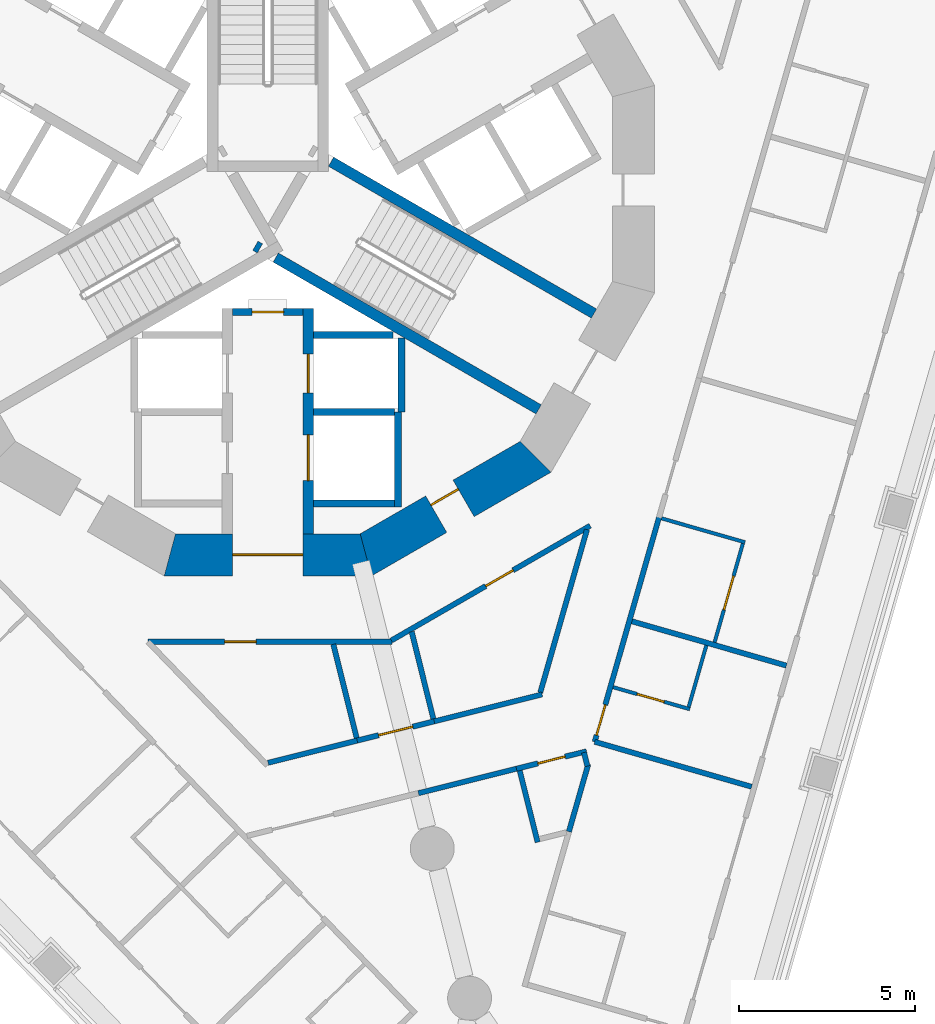
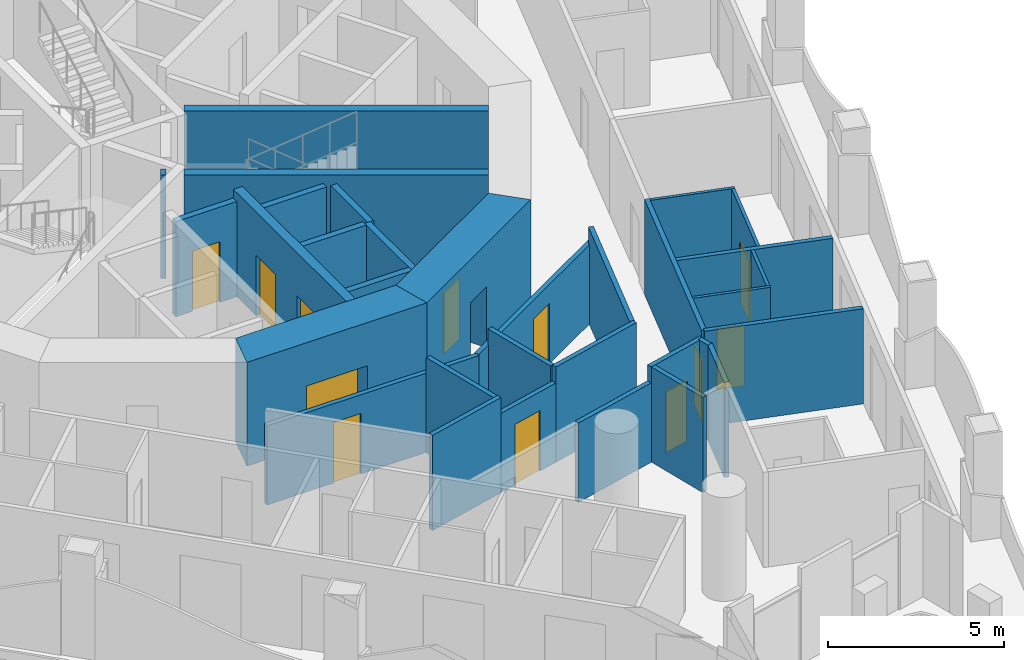
# One storey, part 4 of 18: 32 walls, 12 doors, 12 openings.
"""IFC4 building model written with IfcOpenShell, lengths in metres."""

from ifc_helpers import new_model, si_unit, direction, frame, frame_2d, origin, place, context, subcontext, project, spatial, polyline, rectangle, outline, extrude, material, layer, layer_set, type_object, element, fill, save


model = new_model("IFC4")

# Units and contexts
model_context = context("Model", 3, precision=1e-05, world=origin(), true_north=direction((0.0, 1.0)))
body_context = subcontext(model_context, "Body", "Model", "MODEL_VIEW")
ifc_project = project(units=[si_unit("LENGTHUNIT", "METRE"), si_unit("AREAUNIT", "SQUARE_METRE"), si_unit("VOLUMEUNIT", "CUBIC_METRE"), si_unit("PLANEANGLEUNIT", "RADIAN"), si_unit("MASSUNIT", "GRAM", prefix="KILO")], contexts=[model_context])

# Site, building, storey
site_placement = place(None, origin())
site = spatial("IfcSite", under=ifc_project, at=site_placement, CompositionType="ELEMENT")
building_placement = place(site_placement, origin())
building = spatial("IfcBuilding", under=site, at=building_placement, Name="Trine Commons Tower", CompositionType="ELEMENT")
storey_placement = place(building_placement, frame((0.0, 0.0, 90.89990234375)))
storey = spatial("IfcBuildingStorey", under=building, at=storey_placement, Name="L22", CompositionType="ELEMENT", Elevation=90.89990234375)

# Wall, opening, door
ifc_material_1 = material(Name="Fire-rated gypsum shaft wall system")
ifc_layer_1 = layer(ifc_material_1, 0.199951171875)
ifc_layer_set_1 = layer_set([ifc_layer_1], Name="Fire-rated gypsum shaft wall system")
wall_type_1 = type_object("IfcWallType", Name="Lobby end wall 200 mm, EI 120", PredefinedType="PARTITIONING", material=ifc_layer_set_1)
wall_1_placement = place(storey_placement, frame((79.0, 59.0, 0.0), z_axis=(0.0, 0.0, 1.0), x_axis=(1.0, 0.0, 0.0)))
wall_1 = element("IfcWall", 1, at=wall_1_placement, inside=storey, type_object=wall_type_1, Name="Lobby end wall L22", PredefinedType="PARTITIONING", context=body_context, shape_type="SweptSolid", body=[
    extrude(rectangle(XDim=2.0, YDim=0.199951171875, at=frame_2d((1.0, 0.0))), origin(), (0.0, 0.0, 1.0), 3.300048828125),
])
opening_1_placement = place(wall_1_placement, frame((0.550048828125, 0.0, 0.0)))
opening_1 = element("IfcOpeningElement", 2, at=opening_1_placement, cuts=wall_1, Name="Opening K05.09", PredefinedType="OPENING", context=body_context, shape_type="SweptSolid", body=[
    extrude(rectangle(XDim=0.89990234375, YDim=2.10009765625, at=frame_2d((0.449951171875, 1.050048828125))), frame((0.0, 0.10986328125, 0.0), z_axis=(0.0, -1.0, 0.0), x_axis=(1.0, 0.0, 0.0)), (0.0, 0.0, 1.0), 0.219970703125),
])
ifc_material_2 = material(Name="Steel door leaf, fire-rated", Category="steel")
door_type_1 = type_object("IfcDoorType", Name="Riser access door, single leaf 900 x 2100, FD60", OperationType="SINGLE_SWING_LEFT", PredefinedType="DOOR", material=ifc_material_2)
door_1_placement = place(opening_1_placement, frame((0.89990234375, 0.0, 0.0), z_axis=(0.0, 0.0, 1.0), x_axis=(-1.0, 0.0, 0.0)))
door_1 = element("IfcDoor", 3, at=door_1_placement, inside=storey, type_object=door_type_1, Name="Riser door, Communications riser L22", OperationType="SINGLE_SWING_RIGHT", OverallHeight=2.10009765625, OverallWidth=0.89990234375, PredefinedType="DOOR", context=body_context, shape_type="SweptSolid", body=[
    extrude(rectangle(XDim=0.89990234375, YDim=2.10009765625, at=frame_2d((0.449951171875, 1.050048828125))), frame((0.0, 0.02490234375, 0.0), z_axis=(0.0, -1.0, 0.0), x_axis=(1.0, 0.0, 0.0)), (0.0, 0.0, 1.0), 0.050048828125),
])
fill(opening_1, door_1)

ifc_material_3 = material(Name="Concrete C70/85", Category="concrete")
ifc_layer_2 = layer(ifc_material_3, 1.199951171875)
ifc_layer_set_2 = layer_set([ifc_layer_2], Name="Concrete C70/85")
wall_type_2 = type_object("IfcWallType", Name="RC shear wall 1200 mm, C70/85", PredefinedType="SHEAR", material=ifc_layer_set_2)
wall_2_placement = place(storey_placement, frame((77.049560546875, 52.08837890625, 0.0), z_axis=(0.0, 0.0, 1.0), x_axis=(1.0, 0.0, 0.0)))
wall_2 = element("IfcWall", 4, at=wall_2_placement, inside=storey, type_object=wall_type_2, Name="Core wall CWC-10 L22", PredefinedType="SHEAR", context=body_context, shape_type="SweptSolid", body=[
    extrude(outline(polyline([(0.0, -0.60009765625), (5.90087890625, -0.60009765625), (5.57958984375, 0.60009765625), (0.321533203125, 0.60009765625), (0.0, -0.60009765625)])), origin(), (0.0, 0.0, 1.0), 3.60009765625),
])
opening_2_placement = place(wall_2_placement, frame((1.950439453125, 0.0, 0.0)))
opening_2 = element("IfcOpeningElement", 5, at=opening_2_placement, cuts=wall_2, Name="Opening K05.08", PredefinedType="OPENING", context=body_context, shape_type="SweptSolid", body=[
    extrude(rectangle(XDim=2.0, YDim=2.10009765625, at=frame_2d((1.0, 1.050048828125))), frame((0.0, 0.60986328125, 0.0), z_axis=(0.0, -1.0, 0.0), x_axis=(1.0, 0.0, 0.0)), (0.0, 0.0, 1.0), 1.219970703125),
])
ifc_material_4 = material(Name="Steel door leaves, fire-rated", Category="steel")
door_type_2 = type_object("IfcDoorType", Name="Lobby door, double leaf 2000 x 2100, FD60", OperationType="DOUBLE_DOOR_SINGLE_SWING", PredefinedType="DOOR", material=ifc_material_4)
door_2_placement = place(opening_2_placement, origin())
door_2 = element("IfcDoor", 6, at=door_2_placement, inside=storey, type_object=door_type_2, Name="Lobby door, Service and firefighting lobby L22", OperationType="DOUBLE_DOOR_SINGLE_SWING", OverallHeight=2.10009765625, OverallWidth=2.0, PredefinedType="DOOR", context=body_context, shape_type="SweptSolid", body=[
    extrude(rectangle(XDim=2.0, YDim=2.10009765625, at=frame_2d((1.0, 1.050048828125))), frame((0.0, 0.02490234375, 0.0), z_axis=(0.0, -1.0, 0.0), x_axis=(1.0, 0.0, 0.0)), (0.0, 0.0, 1.0), 0.050048828125),
])
fill(opening_2, door_2)

wall_3_placement = place(storey_placement, frame((82.650390625, 52.008056640625, 0.0), z_axis=(0.0, 0.0, 1.0), x_axis=(0.866037463336, 0.499979111662, 0.0)))
wall_3 = element("IfcWall", 7, at=wall_3_placement, inside=storey, type_object=wall_type_2, Name="Core wall CWC-11 L22", PredefinedType="SHEAR", context=body_context, shape_type="SweptSolid", body=[
    extrude(outline(polyline([(0.0, -0.60009765625), (5.901123046875, -0.60009765625), (5.57958984375, 0.60009765625), (0.321533203125, 0.60009765625), (0.0, -0.60009765625)])), origin(), (0.0, 0.0, 1.0), 3.60009765625),
])
opening_3_placement = place(wall_3_placement, frame((2.474853515625, 0.0, 0.0)))
opening_3 = element("IfcOpeningElement", 8, at=opening_3_placement, cuts=wall_3, Name="Opening K05.15", PredefinedType="OPENING", context=body_context, shape_type="SweptSolid", body=[
    extrude(rectangle(XDim=0.89990234375, YDim=2.10009765625, at=frame_2d((0.449951171875, 1.050048828125))), frame((0.0, 0.60986328125, 0.0), z_axis=(0.0, -1.0, 0.0), x_axis=(1.0, 0.0, 0.0)), (0.0, 0.0, 1.0), 1.219970703125),
])
door_type_3 = type_object("IfcDoorType", Name="Core room door, single leaf 900 x 2100, FD30S", OperationType="SINGLE_SWING_LEFT", PredefinedType="DOOR", material=ifc_material_2)
door_3_placement = place(opening_3_placement, origin())
door_3 = element("IfcDoor", 9, at=door_3_placement, inside=storey, type_object=door_type_3, Name="Door to Core WC L22", OperationType="SINGLE_SWING_LEFT", OverallHeight=2.10009765625, OverallWidth=0.89990234375, PredefinedType="DOOR", context=body_context, shape_type="SweptSolid", body=[
    extrude(rectangle(XDim=0.89990234375, YDim=2.10009765625, at=frame_2d((0.449951171875, 1.050048828125))), frame((0.0, 0.3251953125, 0.0), z_axis=(0.0, -1.0, 0.0), x_axis=(1.0, 0.0, 0.0)), (0.0, 0.0, 1.0), 0.050048828125),
])
fill(opening_3, door_3)

# Wall, openings, doors
ifc_layer_3 = layer(ifc_material_3, 0.300048828125)
ifc_layer_set_3 = layer_set([ifc_layer_3], Name="Concrete C70/85")
wall_type_3 = type_object("IfcWallType", Name="RC shear wall 300 mm, C70/85", PredefinedType="SHEAR", material=ifc_layer_set_3)
wall_4_placement = place(storey_placement, frame((81.14990234375, 59.10009765625, 0.0), z_axis=(0.0, 0.0, 1.0), x_axis=(0.0, -1.0, 0.0)))
wall_4 = element("IfcWall", 10, at=wall_4_placement, inside=storey, type_object=wall_type_3, Name="Core cross wall SWA-04 L22", PredefinedType="SHEAR", context=body_context, shape_type="SweptSolid", body=[
    extrude(rectangle(XDim=6.412109375, YDim=0.300048828125, at=frame_2d((3.2060546875, 0.0))), origin(), (0.0, 0.0, 1.0), 3.60009765625),
])
opening_4_placement = place(wall_4_placement, frame((3.60009765625, 0.0, 0.0)))
opening_4 = element("IfcOpeningElement", 11, at=opening_4_placement, cuts=wall_4, Name="Opening LD11", PredefinedType="OPENING", context=body_context, shape_type="SweptSolid", body=[
    extrude(rectangle(XDim=1.300048828125, YDim=2.10009765625, at=frame_2d((0.64990234375, 1.050048828125))), frame((0.0, 0.159912109375, 0.0), z_axis=(0.0, -1.0, 0.0), x_axis=(1.0, 0.0, 0.0)), (0.0, 0.0, 1.0), 0.320068359375),
])
opening_5_placement = place(wall_4_placement, frame((1.300048828125, 0.0, 0.0)))
opening_5 = element("IfcOpeningElement", 12, at=opening_5_placement, cuts=wall_4, Name="Opening LD9", PredefinedType="OPENING", context=body_context, shape_type="SweptSolid", body=[
    extrude(rectangle(XDim=1.10009765625, YDim=2.10009765625, at=frame_2d((0.550048828125, 1.050048828125))), frame((0.0, 0.159912109375, 0.0), z_axis=(0.0, -1.0, 0.0), x_axis=(1.0, 0.0, 0.0)), (0.0, 0.0, 1.0), 0.320068359375),
])
ifc_material_5 = material(Name="Stainless steel sliding door leaves", Category="steel")
door_type_4 = type_object("IfcDoorType", Name="Lift landing door, centre-opening sliding 1100 x 2100, FD90", OperationType="DOUBLE_DOOR_SLIDING", PredefinedType="DOOR", material=ifc_material_5)
door_4_placement = place(opening_5_placement, origin())
door_4 = element("IfcDoor", 13, at=door_4_placement, inside=storey, type_object=door_type_4, Name="Lift landing door FF1 L22", OperationType="DOUBLE_DOOR_SLIDING", OverallHeight=2.10009765625, OverallWidth=1.10009765625, PredefinedType="DOOR", context=body_context, shape_type="SweptSolid", body=[
    extrude(rectangle(XDim=1.10009765625, YDim=2.10009765625, at=frame_2d((0.550048828125, 1.050048828125))), frame((0.0, 0.02490234375, 0.0), z_axis=(0.0, -1.0, 0.0), x_axis=(1.0, 0.0, 0.0)), (0.0, 0.0, 1.0), 0.050048828125),
])
fill(opening_5, door_4)
door_type_5 = type_object("IfcDoorType", Name="Lift landing door, centre-opening sliding 1300 x 2100, FD90", OperationType="DOUBLE_DOOR_SLIDING", PredefinedType="DOOR", material=ifc_material_5)
door_5_placement = place(opening_4_placement, origin())
door_5 = element("IfcDoor", 14, at=door_5_placement, inside=storey, type_object=door_type_5, Name="Lift landing door G1 L22", OperationType="DOUBLE_DOOR_SLIDING", OverallHeight=2.10009765625, OverallWidth=1.300048828125, PredefinedType="DOOR", context=body_context, shape_type="SweptSolid", body=[
    extrude(rectangle(XDim=1.300048828125, YDim=2.10009765625, at=frame_2d((0.64990234375, 1.050048828125))), frame((0.0, 0.02490234375, 0.0), z_axis=(0.0, -1.0, 0.0), x_axis=(1.0, 0.0, 0.0)), (0.0, 0.0, 1.0), 0.050048828125),
])
fill(opening_4, door_5)

# Walls
wall_5_placement = place(storey_placement, frame((79.64599609375, 60.885986328125, 0.0), z_axis=(0.0, 0.0, 1.0), x_axis=(0.867331893649, -0.497730234424, 0.0)))
element("IfcWall", 15, at=wall_5_placement, inside=storey, type_object=wall_type_3, Name="Core cross wall SWA-11 L22", PredefinedType="SHEAR", context=body_context, shape_type="SweptSolid", body=[
    extrude(rectangle(XDim=0.148681640625, YDim=0.300048828125, at=frame_2d((0.07421875, 0.0))), origin(), (0.0, 0.0, 1.0), 3.60009765625),
])
for number, where, z_axis, x_axis, name in (
    (16, (80.22509765625, 60.552001953125, 0.0), (0.0, 0.0, 1.0), (0.865965399159, -0.500103916661, 0.0), "Core cross wall SWA-13 L22"),
    (17, (81.800048828125, 63.280029296875, 0.0), (0.0, 0.0, 1.0), (0.865965399159, -0.500103916661, 0.0), "Core cross wall SWA-18 L22"),
):
    element("IfcWall", number, at=place(storey_placement, frame(where, z_axis=z_axis, x_axis=x_axis)), inside=storey, type_object=wall_type_3, Name=name, PredefinedType="SHEAR", context=body_context, shape_type="SweptSolid", body=[
        extrude(rectangle(XDim=8.642333984375, YDim=0.300048828125, at=frame_2d((4.3212890625, 0.0))), origin(), (0.0, 0.0, 1.0), 3.60009765625),
    ])
ifc_layer_4 = layer(ifc_material_1, 0.199951171875)
ifc_layer_set_4 = layer_set([ifc_layer_4], Name="Fire-rated gypsum shaft wall system")
wall_type_4 = type_object("IfcWallType", Name="Shaft wall 200 mm, EI 120", PredefinedType="PARTITIONING", material=ifc_layer_set_4)
for number, where, z_axis, x_axis, name in (
    (18, (81.300048828125, 53.550048828125, 0.0), (0.0, 0.0, 1.0), (1.0, 0.0, 0.0), "Shaft wall L22"),
    (19, (81.300048828125, 56.14990234375, 0.0), (0.0, 0.0, 1.0), (1.0, 0.0, 0.0), "Shaft wall L22"),
):
    element("IfcWall", number, at=place(storey_placement, frame(where, z_axis=z_axis, x_axis=x_axis)), inside=storey, type_object=wall_type_4, Name=name, PredefinedType="PARTITIONING", context=body_context, shape_type="SweptSolid", body=[
        extrude(rectangle(XDim=2.300048828125, YDim=0.199951171875, at=frame_2d((1.14990234375, 0.0))), origin(), (0.0, 0.0, 1.0), 3.300048828125),
    ])
wall_6_placement = place(storey_placement, frame((81.300048828125, 58.35009765625, 0.0), z_axis=(0.0, 0.0, 1.0), x_axis=(1.0, 0.0, 0.0)))
element("IfcWall", 20, at=wall_6_placement, inside=storey, type_object=wall_type_4, Name="Shaft wall L22", PredefinedType="PARTITIONING", context=body_context, shape_type="SweptSolid", body=[
    extrude(rectangle(XDim=2.264892578125, YDim=0.199951171875, at=frame_2d((1.13232421875, 0.0))), origin(), (0.0, 0.0, 1.0), 3.300048828125),
])
wall_7_placement = place(storey_placement, frame((83.699951171875, 56.14990234375, 0.0), z_axis=(0.0, 0.0, 1.0), x_axis=(0.0, -1.0, 0.0)))
element("IfcWall", 21, at=wall_7_placement, inside=storey, type_object=wall_type_4, Name="Shaft wall L22", PredefinedType="PARTITIONING", context=body_context, shape_type="SweptSolid", body=[
    extrude(rectangle(XDim=2.699951171875, YDim=0.199951171875, at=frame_2d((1.35009765625, 0.0))), origin(), (0.0, 0.0, 1.0), 3.300048828125),
])
wall_8_placement = place(storey_placement, frame((83.800048828125, 58.256103515625, 0.0), z_axis=(0.0, 0.0, 1.0), x_axis=(0.0, -1.0, 0.0)))
element("IfcWall", 22, at=wall_8_placement, inside=storey, type_object=wall_type_4, Name="Shaft wall L22", PredefinedType="PARTITIONING", context=body_context, shape_type="SweptSolid", body=[
    extrude(rectangle(XDim=2.106201171875, YDim=0.199951171875, at=frame_2d((1.05322265625, 0.0))), origin(), (0.0, 0.0, 1.0), 3.300048828125),
])

# Wall, opening, door
ifc_material_6 = material(Name="Gypsum plasterboard on steel stud", Category="steel")
ifc_layer_5 = layer(ifc_material_6, 0.14990234375)
ifc_layer_set_5 = layer_set([ifc_layer_5], Name="Gypsum plasterboard on steel stud")
wall_type_5 = type_object("IfcWallType", Name="Unit and corridor wall 150 mm, EI 60", PredefinedType="PARTITIONING", material=ifc_layer_set_5)
wall_9_placement = place(storey_placement, frame((76.583984375, 49.613037109375, 0.0), z_axis=(0.0, 0.0, 1.0), x_axis=(1.0, 0.0, 0.0)))
wall_9 = element("IfcWall", 23, at=wall_9_placement, inside=storey, type_object=wall_type_5, Name="Partition 057", PredefinedType="PARTITIONING", context=body_context, shape_type="SweptSolid", body=[
    extrude(rectangle(XDim=6.944091796875, YDim=0.14990234375, at=frame_2d((3.47216796875, 0.0))), origin(), (0.0, 0.0, 1.0), 2.75),
])
opening_6_placement = place(wall_9_placement, frame((2.18359375, 0.0, 0.0)))
opening_6 = element("IfcOpeningElement", 24, at=opening_6_placement, cuts=wall_9, Name="Opening D-3A32", PredefinedType="OPENING", context=body_context, shape_type="SweptSolid", body=[
    extrude(rectangle(XDim=0.89990234375, YDim=2.10009765625, at=frame_2d((0.449951171875, 1.050048828125))), frame((0.0, 0.0849609375, 0.0), z_axis=(0.0, -1.0, 0.0), x_axis=(1.0, 0.0, 0.0)), (0.0, 0.0, 1.0), 0.169921875),
])
ifc_material_7 = material(Name="Timber fire door set", Category="wood")
door_type_6 = type_object("IfcDoorType", Name="Service door 900 x 2100, FD30S", OperationType="NOTDEFINED", PredefinedType="DOOR", material=ifc_material_7)
door_6_placement = place(opening_6_placement, frame((0.89990234375, 0.0, 0.0), z_axis=(0.0, 0.0, 1.0), x_axis=(-1.0, 0.0, 0.0)))
door_6 = element("IfcDoor", 25, at=door_6_placement, inside=storey, type_object=door_type_6, Name="Door D-3A32", OperationType="SINGLE_SWING_RIGHT", OverallHeight=2.10009765625, OverallWidth=0.89990234375, PredefinedType="DOOR", context=body_context, shape_type="SweptSolid", body=[
    extrude(rectangle(XDim=0.89990234375, YDim=2.10009765625, at=frame_2d((0.449951171875, 1.050048828125))), frame((0.0, 0.02490234375, 0.0), z_axis=(0.0, -1.0, 0.0), x_axis=(1.0, 0.0, 0.0)), (0.0, 0.0, 1.0), 0.050048828125),
])
fill(opening_6, door_6)

# Walls
wall_10_placement = place(storey_placement, frame((80.005859375, 46.168212890625, 0.0), z_axis=(0.0, 0.0, 1.0), x_axis=(0.970307222534, 0.241875781957, 0.0)))
element("IfcWall", 26, at=wall_10_placement, inside=storey, type_object=wall_type_5, Name="Partition 066", PredefinedType="PARTITIONING", context=body_context, shape_type="SweptSolid", body=[
    extrude(rectangle(XDim=2.698974609375, YDim=0.14990234375, at=frame_2d((1.349609375, 0.0))), origin(), (0.0, 0.0, 1.0), 3.300048828125),
])
wall_11_placement = place(storey_placement, frame((81.864990234375, 49.540283203125, 0.0), z_axis=(0.0, 0.0, 1.0), x_axis=(0.24199191412, -0.970278266015, 0.0)))
element("IfcWall", 27, at=wall_11_placement, inside=storey, type_object=wall_type_5, Name="Partition 071", PredefinedType="PARTITIONING", context=body_context, shape_type="SweptSolid", body=[
    extrude(rectangle(XDim=2.7470703125, YDim=0.14990234375, at=frame_2d((1.37353515625, 0.0))), origin(), (0.0, 0.0, 1.0), 3.300048828125),
])

# Wall, opening, door
wall_12_placement = place(storey_placement, frame((82.5439453125, 46.801025390625, 0.0), z_axis=(0.0, 0.0, 1.0), x_axis=(0.970237811433, 0.242154061015, 0.0)))
wall_12 = element("IfcWall", 28, at=wall_12_placement, inside=storey, type_object=wall_type_5, Name="Partition 072", PredefinedType="PARTITIONING", context=body_context, shape_type="SweptSolid", body=[
    extrude(rectangle(XDim=2.25830078125, YDim=0.14990234375, at=frame_2d((1.129150390625, 0.0))), origin(), (0.0, 0.0, 1.0), 2.75),
])
opening_7_placement = place(wall_12_placement, frame((0.629150390625, 0.0, 0.0)))
opening_7 = element("IfcOpeningElement", 29, at=opening_7_placement, cuts=wall_12, Name="Opening D-3A35", PredefinedType="OPENING", context=body_context, shape_type="SweptSolid", body=[
    extrude(rectangle(XDim=1.0, YDim=2.10009765625, at=frame_2d((0.5, 1.050048828125))), frame((0.0, 0.0849609375, 0.0), z_axis=(0.0, -1.0, 0.0), x_axis=(1.0, 0.0, 0.0)), (0.0, 0.0, 1.0), 0.169921875),
])
ifc_material_8 = material(Name="Painted timber", Category="wood")
door_type_7 = type_object("IfcDoorType", Name="Toilet door 1000 x 2100, NOT RATED", OperationType="NOTDEFINED", PredefinedType="DOOR", material=ifc_material_8)
door_7_placement = place(opening_7_placement, origin())
door_7 = element("IfcDoor", 30, at=door_7_placement, inside=storey, type_object=door_type_7, Name="Door D-3A35", OperationType="SINGLE_SWING_RIGHT", OverallHeight=2.10009765625, OverallWidth=1.0, PredefinedType="DOOR", context=body_context, shape_type="SweptSolid", body=[
    extrude(rectangle(XDim=1.0, YDim=2.10009765625, at=frame_2d((0.5, 1.050048828125))), frame((0.0, 0.02490234375, 0.0), z_axis=(0.0, -1.0, 0.0), x_axis=(1.0, 0.0, 0.0)), (0.0, 0.0, 1.0), 0.050048828125),
])
fill(opening_7, door_7)

wall_13_placement = place(storey_placement, frame((83.51806640625, 49.650390625, 0.0), z_axis=(0.0, 0.0, 1.0), x_axis=(0.866021893259, 0.50000608036, 0.0)))
wall_13 = element("IfcWall", 31, at=wall_13_placement, inside=storey, type_object=wall_type_5, Name="Partition 073", PredefinedType="PARTITIONING", context=body_context, shape_type="SweptSolid", body=[
    extrude(rectangle(XDim=6.5322265625, YDim=0.14990234375, at=frame_2d((3.26611328125, 0.0))), origin(), (0.0, 0.0, 1.0), 2.75),
])
opening_8_placement = place(wall_13_placement, frame((3.09912109375, 0.0, 0.0)))
opening_8 = element("IfcOpeningElement", 32, at=opening_8_placement, cuts=wall_13, Name="Opening D-3A31", PredefinedType="OPENING", context=body_context, shape_type="SweptSolid", body=[
    extrude(rectangle(XDim=0.89990234375, YDim=2.10009765625, at=frame_2d((0.449951171875, 1.050048828125))), frame((0.0, 0.0849609375, 0.0), z_axis=(0.0, -1.0, 0.0), x_axis=(1.0, 0.0, 0.0)), (0.0, 0.0, 1.0), 0.169921875),
])
door_8_placement = place(opening_8_placement, frame((0.89990234375, 0.0, 0.0), z_axis=(0.0, 0.0, 1.0), x_axis=(-1.0, 0.0, 0.0)))
door_8 = element("IfcDoor", 33, at=door_8_placement, inside=storey, type_object=door_type_6, Name="Door D-3A31", OperationType="SINGLE_SWING_LEFT", OverallHeight=2.10009765625, OverallWidth=0.89990234375, PredefinedType="DOOR", context=body_context, shape_type="SweptSolid", body=[
    extrude(rectangle(XDim=0.89990234375, YDim=2.10009765625, at=frame_2d((0.449951171875, 1.050048828125))), frame((0.0, 0.02490234375, 0.0), z_axis=(0.0, -1.0, 0.0), x_axis=(1.0, 0.0, 0.0)), (0.0, 0.0, 1.0), 0.050048828125),
])
fill(opening_8, door_8)

# Walls
wall_14_placement = place(storey_placement, frame((84.09521484375, 49.900146484375, 0.0), z_axis=(0.0, 0.0, 1.0), x_axis=(0.241659013466, -0.970361232331, 0.0)))
element("IfcWall", 34, at=wall_14_placement, inside=storey, type_object=wall_type_5, Name="Partition 076", PredefinedType="PARTITIONING", context=body_context, shape_type="SweptSolid", body=[
    extrude(rectangle(XDim=2.555908203125, YDim=0.14990234375, at=frame_2d((1.27783203125, 0.0))), origin(), (0.0, 0.0, 1.0), 3.300048828125),
])
wall_15_placement = place(storey_placement, frame((84.2880859375, 45.303955078125, 0.0), z_axis=(0.0, 0.0, 1.0), x_axis=(0.970312264522, 0.241855554658, 0.0)))
element("IfcWall", 35, at=wall_15_placement, inside=storey, type_object=wall_type_5, Name="Partition 077", PredefinedType="PARTITIONING", context=body_context, shape_type="SweptSolid", body=[
    extrude(rectangle(XDim=2.956787109375, YDim=0.14990234375, at=frame_2d((1.478515625, 0.0))), origin(), (0.0, 0.0, 1.0), 2.75),
])
wall_16_placement = place(storey_placement, frame((84.72705078125, 47.345947265625, 0.0), z_axis=(0.0, 0.0, 1.0), x_axis=(0.970300600618, 0.241902344841, 0.0)))
element("IfcWall", 36, at=wall_16_placement, inside=storey, type_object=wall_type_5, Name="Partition 079", PredefinedType="PARTITIONING", context=body_context, shape_type="SweptSolid", body=[
    extrude(rectangle(XDim=3.175048828125, YDim=0.14990234375, at=frame_2d((1.58740234375, 0.0))), origin(), (0.0, 0.0, 1.0), 3.300048828125),
])

# Wall, opening, door
wall_17_placement = place(storey_placement, frame((87.076171875, 45.998779296875, 0.0), z_axis=(0.0, 0.0, 1.0), x_axis=(0.970351527821, 0.241697977766, 0.0)))
wall_17 = element("IfcWall", 37, at=wall_17_placement, inside=storey, type_object=wall_type_5, Name="Partition 083", PredefinedType="PARTITIONING", context=body_context, shape_type="SweptSolid", body=[
    extrude(rectangle(XDim=2.0576171875, YDim=0.14990234375, at=frame_2d((1.02880859375, 0.0))), origin(), (0.0, 0.0, 1.0), 3.300048828125),
])
opening_9_placement = place(wall_17_placement, frame((0.62890625, 0.0, 0.0)))
opening_9 = element("IfcOpeningElement", 38, at=opening_9_placement, cuts=wall_17, Name="Opening D-3A05", PredefinedType="OPENING", context=body_context, shape_type="SweptSolid", body=[
    extrude(rectangle(XDim=0.800048828125, YDim=2.10009765625, at=frame_2d((0.39990234375, 1.050048828125))), frame((0.0, 0.0849609375, 0.0), z_axis=(0.0, -1.0, 0.0), x_axis=(1.0, 0.0, 0.0)), (0.0, 0.0, 1.0), 0.169921875),
])
door_type_8 = type_object("IfcDoorType", Name="Toilet door 800 x 2100, NOT RATED", OperationType="NOTDEFINED", PredefinedType="DOOR", material=ifc_material_8)
door_9_placement = place(opening_9_placement, frame((0.800048828125, 0.0, 0.0), z_axis=(0.0, 0.0, 1.0), x_axis=(-1.0, 0.0, 0.0)))
door_9 = element("IfcDoor", 39, at=door_9_placement, inside=storey, type_object=door_type_8, Name="Door D-3A05", OperationType="SINGLE_SWING_LEFT", OverallHeight=2.10009765625, OverallWidth=0.800048828125, PredefinedType="DOOR", context=body_context, shape_type="SweptSolid", body=[
    extrude(rectangle(XDim=0.800048828125, YDim=2.10009765625, at=frame_2d((0.39990234375, 1.050048828125))), frame((0.0, 0.02490234375, 0.0), z_axis=(0.0, -1.0, 0.0), x_axis=(1.0, 0.0, 0.0)), (0.0, 0.0, 1.0), 0.050048828125),
])
fill(opening_9, door_9)

# Walls
wall_18_placement = place(storey_placement, frame((87.171142578125, 45.9453125, 0.0), z_axis=(0.0, 0.0, 1.0), x_axis=(0.241879199479, -0.970306370617, 0.0)))
element("IfcWall", 40, at=wall_18_placement, inside=storey, type_object=wall_type_5, Name="Partition 084", PredefinedType="PARTITIONING", context=body_context, shape_type="SweptSolid", body=[
    extrude(rectangle(XDim=2.100341796875, YDim=0.14990234375, at=frame_2d((1.05029296875, 0.0))), origin(), (0.0, 0.0, 1.0), 3.300048828125),
])
wall_19_placement = place(storey_placement, frame((87.755615234375, 48.168212890625, 0.0), z_axis=(0.0, 0.0, 1.0), x_axis=(0.275589878427, 0.961275308592, 0.0)))
element("IfcWall", 41, at=wall_19_placement, inside=storey, type_object=wall_type_5, Name="Partition 088", PredefinedType="PARTITIONING", context=body_context, shape_type="SweptSolid", body=[
    extrude(rectangle(XDim=4.824462890625, YDim=0.14990234375, at=frame_2d((2.412109375, 0.0))), origin(), (0.0, 0.0, 1.0), 3.300048828125),
])
wall_20_placement = place(storey_placement, frame((88.571044921875, 44.20703125, 0.0), z_axis=(0.0, 0.0, 1.0), x_axis=(0.275350032507, 0.961344038104, 0.0)))
element("IfcWall", 42, at=wall_20_placement, inside=storey, type_object=wall_type_5, Name="Partition 093", PredefinedType="PARTITIONING", context=body_context, shape_type="SweptSolid", body=[
    extrude(rectangle(XDim=1.99951171875, YDim=0.14990234375, at=frame_2d((0.999755859375, 0.0))), origin(), (0.0, 0.0, 1.0), 3.300048828125),
])
wall_21_placement = place(storey_placement, frame((89.0, 46.461669921875, 0.0), z_axis=(0.0, 0.0, 1.0), x_axis=(0.242248462582, -0.970214245606, 0.0)))
element("IfcWall", 43, at=wall_21_placement, inside=storey, type_object=wall_type_5, Name="Partition 095", PredefinedType="PARTITIONING", context=body_context, shape_type="SweptSolid", body=[
    extrude(rectangle(XDim=0.400146484375, YDim=0.14990234375, at=frame_2d((0.2001953125, 0.0))), origin(), (0.0, 0.0, 1.0), 3.300048828125),
])

# Wall, opening, door
wall_22_placement = place(storey_placement, frame((89.303955078125, 46.762939453125, 0.0), z_axis=(0.0, 0.0, 1.0), x_axis=(0.275650305542, 0.96125798257, 0.0)))
wall_22 = element("IfcWall", 44, at=wall_22_placement, inside=storey, type_object=wall_type_5, Name="Partition 096", PredefinedType="PARTITIONING", context=body_context, shape_type="SweptSolid", body=[
    extrude(rectangle(XDim=6.69677734375, YDim=0.14990234375, at=frame_2d((3.348388671875, 0.0))), origin(), (0.0, 0.0, 1.0), 3.300048828125),
])
opening_10_placement = place(wall_22_placement, frame((0.197998046875, 0.0, 0.0)))
opening_10 = element("IfcOpeningElement", 45, at=opening_10_placement, cuts=wall_22, Name="Opening D-3A20", PredefinedType="OPENING", context=body_context, shape_type="SweptSolid", body=[
    extrude(rectangle(XDim=0.89990234375, YDim=2.10009765625, at=frame_2d((0.449951171875, 1.050048828125))), frame((0.0, 0.0849609375, 0.0), z_axis=(0.0, -1.0, 0.0), x_axis=(1.0, 0.0, 0.0)), (0.0, 0.0, 1.0), 0.169921875),
])
door_type_9 = type_object("IfcDoorType", Name="Bedroom door 900 x 2100, FD30S", OperationType="NOTDEFINED", PredefinedType="DOOR", material=ifc_material_7)
door_10_placement = place(opening_10_placement, frame((0.89990234375, 0.0, 0.0), z_axis=(0.0, 0.0, 1.0), x_axis=(-1.0, 0.0, 0.0)))
door_10 = element("IfcDoor", 46, at=door_10_placement, inside=storey, type_object=door_type_9, Name="Door D-3A20", OperationType="SINGLE_SWING_RIGHT", OverallHeight=2.10009765625, OverallWidth=0.89990234375, PredefinedType="DOOR", context=body_context, shape_type="SweptSolid", body=[
    extrude(rectangle(XDim=0.89990234375, YDim=2.10009765625, at=frame_2d((0.449951171875, 1.050048828125))), frame((0.0, 0.02490234375, 0.0), z_axis=(0.0, -1.0, 0.0), x_axis=(1.0, 0.0, 0.0)), (0.0, 0.0, 1.0), 0.050048828125),
])
fill(opening_10, door_10)

# Walls
wall_23_placement = place(storey_placement, frame((89.304931640625, 46.76708984375, 0.0), z_axis=(0.0, 0.0, 1.0), x_axis=(0.961263836782, -0.275629889699, 0.0)))
element("IfcWall", 47, at=wall_23_placement, inside=storey, type_object=wall_type_5, Name="Partition 097", PredefinedType="PARTITIONING", context=body_context, shape_type="SweptSolid", body=[
    extrude(rectangle(XDim=4.6474609375, YDim=0.14990234375, at=frame_2d((2.32373046875, 0.0))), origin(), (0.0, 0.0, 1.0), 3.300048828125),
])
wall_24_placement = place(storey_placement, frame((90.3662109375, 50.1953125, 0.0), z_axis=(0.0, 0.0, 1.0), x_axis=(0.961265617229, -0.275623680283, 0.0)))
element("IfcWall", 48, at=wall_24_placement, inside=storey, type_object=wall_type_5, Name="Partition 104", PredefinedType="PARTITIONING", context=body_context, shape_type="SweptSolid", body=[
    extrude(rectangle(XDim=4.572265625, YDim=0.14990234375, at=frame_2d((2.2861328125, 0.0))), origin(), (0.0, 0.0, 1.0), 3.300048828125),
])

# Wall, opening, door
ifc_layer_6 = layer(ifc_material_6, 0.10009765625)
ifc_layer_set_6 = layer_set([ifc_layer_6], Name="Gypsum plasterboard on steel stud")
wall_type_6 = type_object("IfcWallType", Name="Unit partition 100 mm, no rating", PredefinedType="PARTITIONING", material=ifc_layer_set_6)
wall_25_placement = place(storey_placement, frame((89.828125, 48.3212890625, 0.0), z_axis=(0.0, 0.0, 1.0), x_axis=(0.961252175385, -0.275670555767, 0.0)))
wall_25 = element("IfcWall", 49, at=wall_25_placement, inside=storey, type_object=wall_type_6, Name="Partition 103", PredefinedType="PARTITIONING", context=body_context, shape_type="SweptSolid", body=[
    extrude(rectangle(XDim=2.275146484375, YDim=0.10009765625, at=frame_2d((1.1376953125, 0.0))), origin(), (0.0, 0.0, 1.0), 3.300048828125),
])
opening_11_placement = place(wall_25_placement, frame((0.71240234375, 0.0, 0.0)))
opening_11 = element("IfcOpeningElement", 50, at=opening_11_placement, cuts=wall_25, Name="Opening D-3A49", PredefinedType="OPENING", context=body_context, shape_type="SweptSolid", body=[
    extrude(rectangle(XDim=0.800048828125, YDim=2.10009765625, at=frame_2d((0.39990234375, 1.050048828125))), frame((0.0, 0.06005859375, 0.0), z_axis=(0.0, -1.0, 0.0), x_axis=(1.0, 0.0, 0.0)), (0.0, 0.0, 1.0), 0.1201171875),
])
door_type_10 = type_object("IfcDoorType", Name="Internal door 800 x 2100, NOT RATED", OperationType="NOTDEFINED", PredefinedType="DOOR", material=ifc_material_8)
door_11_placement = place(opening_11_placement, frame((0.800048828125, 0.0, 0.0), z_axis=(0.0, 0.0, 1.0), x_axis=(-1.0, 0.0, 0.0)))
door_11 = element("IfcDoor", 51, at=door_11_placement, inside=storey, type_object=door_type_10, Name="Door D-3A49", OperationType="SINGLE_SWING_RIGHT", OverallHeight=2.10009765625, OverallWidth=0.800048828125, PredefinedType="DOOR", context=body_context, shape_type="SweptSolid", body=[
    extrude(rectangle(XDim=0.800048828125, YDim=2.10009765625, at=frame_2d((0.39990234375, 1.050048828125))), frame((0.0, 0.02490234375, 0.0), z_axis=(0.0, -1.0, 0.0), x_axis=(1.0, 0.0, 0.0)), (0.0, 0.0, 1.0), 0.050048828125),
])
fill(opening_11, door_11)

# Walls
wall_26_placement = place(storey_placement, frame((91.20703125, 53.127197265625, 0.0), z_axis=(0.0, 0.0, 1.0), x_axis=(0.961296549329, -0.275515778582, 0.0)))
element("IfcWall", 52, at=wall_26_placement, inside=storey, type_object=wall_type_6, Name="Partition 108", PredefinedType="PARTITIONING", context=body_context, shape_type="SweptSolid", body=[
    extrude(rectangle(XDim=2.474853515625, YDim=0.10009765625, at=frame_2d((1.2373046875, 0.0))), origin(), (0.0, 0.0, 1.0), 3.300048828125),
])
wall_27_placement = place(storey_placement, frame((91.980712890625, 47.756103515625, 0.0), z_axis=(0.0, 0.0, 1.0), x_axis=(0.276010827841, 0.961154526034, 0.0)))
element("IfcWall", 53, at=wall_27_placement, inside=storey, type_object=wall_type_6, Name="Partition 110", PredefinedType="PARTITIONING", context=body_context, shape_type="SweptSolid", body=[
    extrude(rectangle(XDim=1.82470703125, YDim=0.10009765625, at=frame_2d((0.912353515625, 0.0))), origin(), (0.0, 0.0, 1.0), 3.300048828125),
])

# Wall, opening, door
wall_28_placement = place(storey_placement, frame((92.7177734375, 49.59912109375, 0.0), z_axis=(0.0, 0.0, 1.0), x_axis=(0.27568003443, 0.961249457018, 0.0)))
wall_28 = element("IfcWall", 54, at=wall_28_placement, inside=storey, type_object=wall_type_6, Name="Partition 114", PredefinedType="PARTITIONING", context=body_context, shape_type="SweptSolid", body=[
    extrude(rectangle(XDim=2.925048828125, YDim=0.10009765625, at=frame_2d((1.46240234375, 0.0))), origin(), (0.0, 0.0, 1.0), 3.300048828125),
])
opening_12_placement = place(wall_28_placement, frame((0.962646484375, 0.0, 0.0)))
opening_12 = element("IfcOpeningElement", 55, at=opening_12_placement, cuts=wall_28, Name="Opening D-3A48", PredefinedType="OPENING", context=body_context, shape_type="SweptSolid", body=[
    extrude(rectangle(XDim=1.0, YDim=2.10009765625, at=frame_2d((0.5, 1.050048828125))), frame((0.0, 0.06005859375, 0.0), z_axis=(0.0, -1.0, 0.0), x_axis=(1.0, 0.0, 0.0)), (0.0, 0.0, 1.0), 0.1201171875),
])
door_type_11 = type_object("IfcDoorType", Name="Internal door 1000 x 2100, NOT RATED", OperationType="NOTDEFINED", PredefinedType="DOOR", material=ifc_material_8)
door_12_placement = place(opening_12_placement, frame((1.0, 0.0, 0.0), z_axis=(0.0, 0.0, 1.0), x_axis=(-1.0, 0.0, 0.0)))
door_12 = element("IfcDoor", 56, at=door_12_placement, inside=storey, type_object=door_type_11, Name="Door D-3A48", OperationType="SINGLE_SWING_RIGHT", OverallHeight=2.10009765625, OverallWidth=1.0, PredefinedType="DOOR", context=body_context, shape_type="SweptSolid", body=[
    extrude(rectangle(XDim=1.0, YDim=2.10009765625, at=frame_2d((0.5, 1.050048828125))), frame((0.0, 0.02490234375, 0.0), z_axis=(0.0, -1.0, 0.0), x_axis=(1.0, 0.0, 0.0)), (0.0, 0.0, 1.0), 0.050048828125),
])
fill(opening_12, door_12)

save(model, "model.ifc")
